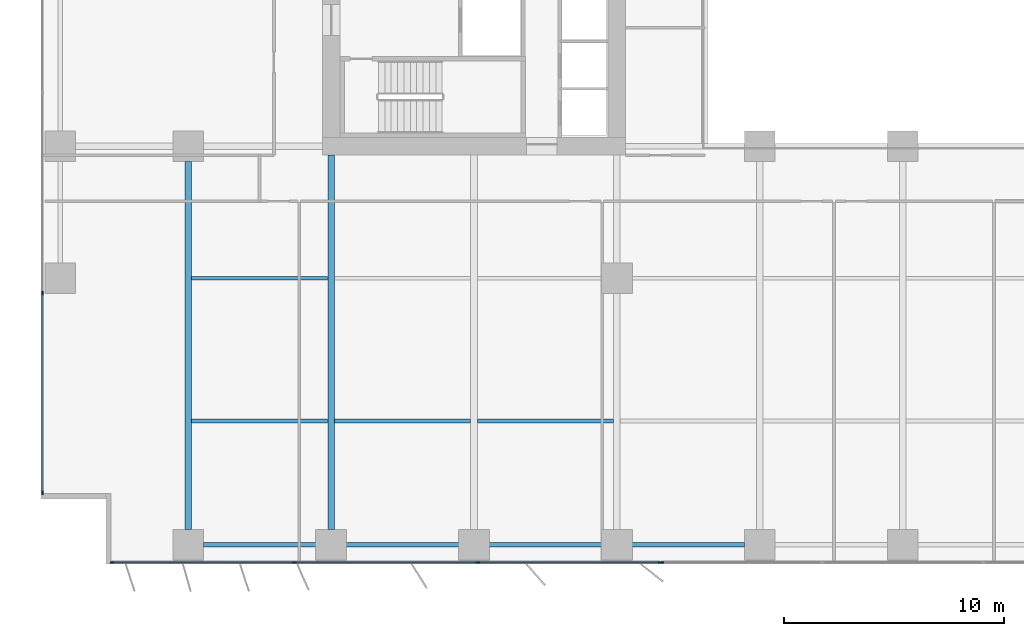
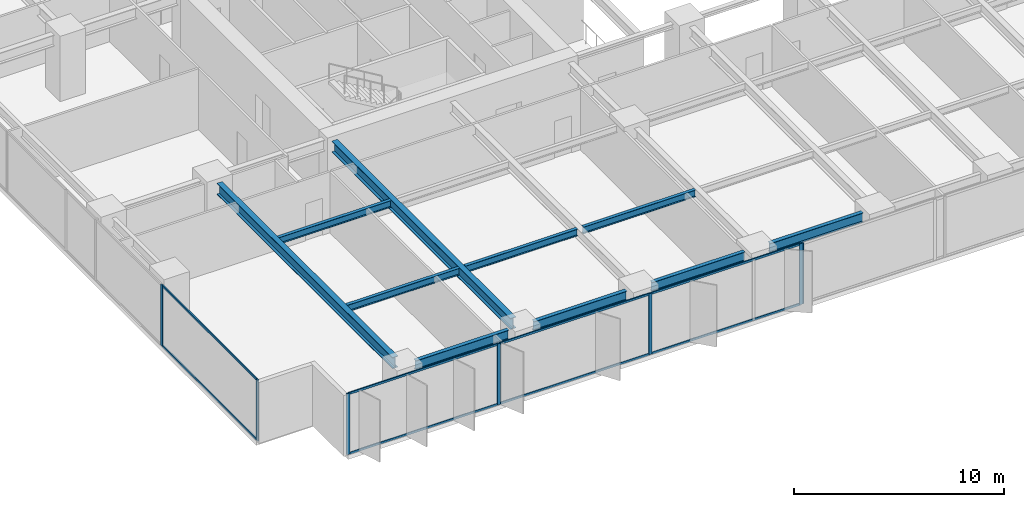
# One storey, part 2 of 20: 15 members, 10 beams, 3 elements without a shape of their own.
"""IFC4 building model written with IfcOpenShell, lengths in metres."""

from ifc_helpers import new_model, si_unit, direction, frame, origin, origin_2d, place, context, subcontext, project, spatial, rectangle, i_section, extrude, material, layer, layer_set, material_profile, profile_set, type_object, element, aggregate, save


model = new_model("IFC4")

# Units and contexts
model_context = context("Model", 3, precision=1e-05, world=origin(), true_north=direction((0.0, 1.0)))
body_context = subcontext(model_context, "Body", "Model", "MODEL_VIEW")
ifc_project = project(units=[si_unit("LENGTHUNIT", "METRE"), si_unit("AREAUNIT", "SQUARE_METRE"), si_unit("VOLUMEUNIT", "CUBIC_METRE"), si_unit("PLANEANGLEUNIT", "RADIAN"), si_unit("MASSUNIT", "GRAM", prefix="KILO")], contexts=[model_context])

# Site, building, storey
site_placement = place(None, origin())
site = spatial("IfcSite", under=ifc_project, at=site_placement, CompositionType="ELEMENT")
building_placement = place(site_placement, origin())
building = spatial("IfcBuilding", under=site, at=building_placement, Name="Putna Gate Headquarters", CompositionType="ELEMENT")
storey_placement = place(building_placement, frame((0.0, 0.0, 73.39990234375)))
storey = spatial("IfcBuildingStorey", under=building, at=storey_placement, Name="L17", CompositionType="ELEMENT", Elevation=73.39990234375)

# Beams
ifc_material_1 = material(Name="Steel S355J2", Category="steel")
ifc_material_profile_1 = material_profile(ifc_material_1, i_section(OverallWidth=0.300048828125, OverallDepth=0.64990234375, WebThickness=0.01611328125, FlangeThickness=0.031005859375, at=origin_2d()), Name="Steel S355J2")
ifc_profile_set_1 = profile_set([ifc_material_profile_1], Name="Steel S355J2")
beam_type_1 = type_object("IfcBeamType", Name="BM-GIRD-Z1-HEB650", PredefinedType="USERDEFINED", material=ifc_profile_set_1)
beam_1_placement = place(storey_placement, frame((6.5, 1.568115234375, 3.22509765625), z_axis=(0.0, 1.0, 0.0), x_axis=(-1.0, 0.0, 0.0)))
element("IfcBeam", 1, at=beam_1_placement, inside=storey, type_object=beam_type_1, Name="L17 South Primary Girder X6", ObjectType="GIRDER", PredefinedType="USERDEFINED", context=body_context, shape_type="SweptSolid", body=[
    extrude(i_section(OverallWidth=0.300048828125, OverallDepth=0.64990234375, WebThickness=0.01611328125, FlangeThickness=0.031005859375, at=origin_2d()), origin(), (0.0, 0.0, 1.0), 16.743896484375),
])
beam_2_placement = place(storey_placement, frame((13.0, 1.568115234375, 3.22509765625), z_axis=(0.0, 1.0, 0.0), x_axis=(-1.0, 0.0, 0.0)))
element("IfcBeam", 2, at=beam_2_placement, inside=storey, type_object=beam_type_1, Name="L17 South Primary Girder X13", ObjectType="GIRDER", PredefinedType="USERDEFINED", context=body_context, shape_type="SweptSolid", body=[
    extrude(i_section(OverallWidth=0.300048828125, OverallDepth=0.64990234375, WebThickness=0.01611328125, FlangeThickness=0.031005859375, at=origin_2d()), origin(), (0.0, 0.0, 1.0), 17.046875),
])
ifc_material_profile_2 = material_profile(ifc_material_1, i_section(OverallWidth=0.179931640625, OverallDepth=0.39990234375, WebThickness=0.008544921875, FlangeThickness=0.013427734375, at=origin_2d()), Name="Steel S355J2")
ifc_profile_set_2 = profile_set([ifc_material_profile_2], Name="Steel S355J2")
beam_type_2 = type_object("IfcBeamType", Name="BM-SEC-Z1-IPE400", PredefinedType="BEAM", material=ifc_profile_set_2)
for number, where, z_axis, x_axis, name in (
    (3, (6.654052734375, 6.5, 3.35009765625), (1.0, 0.0, 0.0), (0.0, 1.0, 0.0), "L17 South Secondary Beam 1"),
    (4, (6.654052734375, 13.0, 3.35009765625), (1.0, 0.0, 0.0), (0.0, 1.0, 0.0), "L17 South Secondary Beam 1"),
    (5, (13.154052734375, 6.5, 3.35009765625), (1.0, 0.0, 0.0), (0.0, 1.0, 0.0), "L17 South Secondary Beam 2"),
    (6, (19.654052734375, 6.5, 3.35009765625), (1.0, 0.0, 0.0), (0.0, 1.0, 0.0), "L17 South Secondary Beam 3"),
):
    element("IfcBeam", number, at=place(storey_placement, frame(where, z_axis=z_axis, x_axis=x_axis)), inside=storey, type_object=beam_type_2, Name=name, PredefinedType="BEAM", context=body_context, shape_type="SweptSolid", body=[
        extrude(i_section(OverallWidth=0.179931640625, OverallDepth=0.39990234375, WebThickness=0.008544921875, FlangeThickness=0.013427734375, at=origin_2d()), origin(), (0.0, 0.0, 1.0), 6.19189453125),
    ])
ifc_material_profile_3 = material_profile(ifc_material_1, i_section(OverallWidth=0.2099609375, OverallDepth=0.550048828125, WebThickness=0.010986328125, FlangeThickness=0.01708984375, at=origin_2d()), Name="Steel S355J2")
ifc_profile_set_3 = profile_set([ifc_material_profile_3], Name="Steel S355J2")
beam_type_3 = type_object("IfcBeamType", Name="BM-SPAN-Z1-IPE550", PredefinedType="SPANDREL", material=ifc_profile_set_3)
for number, where, z_axis, x_axis, name in (
    (7, (7.18798828125, 0.8798828125, 3.275146484375), (1.0, 0.0, 0.0), (0.0, 1.0, 0.0), "L17 S Perimeter Spandrel 1"),
    (8, (13.68798828125, 0.8798828125, 3.275146484375), (1.0, 0.0, 0.0), (0.0, 1.0, 0.0), "L17 S Perimeter Spandrel 2"),
    (9, (20.18798828125, 0.8798828125, 3.275146484375), (1.0, 0.0, 0.0), (0.0, 1.0, 0.0), "L17 S Perimeter Spandrel 3"),
    (10, (26.68798828125, 0.8798828125, 3.275146484375), (1.0, 0.0, 0.0), (0.0, 1.0, 0.0), "L17 S Perimeter Spandrel 4"),
):
    element("IfcBeam", number, at=place(storey_placement, frame(where, z_axis=z_axis, x_axis=x_axis)), inside=storey, type_object=beam_type_3, Name=name, PredefinedType="SPANDREL", context=body_context, shape_type="SweptSolid", body=[
        extrude(i_section(OverallWidth=0.2099609375, OverallDepth=0.550048828125, WebThickness=0.010986328125, FlangeThickness=0.01708984375, at=origin_2d()), origin(), (0.0, 0.0, 1.0), 5.1240234375),
    ])

# Curtain wall, members
ifc_material_2 = material(Name="Anodised bronze aluminium curtain wall", Category="aluminium")
ifc_layer_1 = layer(ifc_material_2, 0.179931640625)
ifc_layer_set_1 = layer_set([ifc_layer_1], Name="Anodised bronze aluminium curtain wall")
curtain_wall_type_1 = type_object("IfcCurtainWallType", Name="CW-SYS-Z1", PredefinedType="USERDEFINED", material=ifc_layer_set_1)
curtain_wall_1_placement = place(storey_placement, origin())
curtain_wall_1 = element("IfcCurtainWall", 11, at=curtain_wall_1_placement, inside=storey, type_object=curtain_wall_type_1, Name="L17 South West Curtain Wall", ObjectType="STICK CURTAIN WALL", PredefinedType="USERDEFINED")
ifc_material_3 = material(Name="Anodised bronze aluminium EN AW-6060", Category="aluminium")
ifc_material_profile_4 = material_profile(ifc_material_3, rectangle(XDim=0.070068359375, YDim=0.179931640625, at=origin_2d()), Name="Anodised bronze aluminium EN AW-6060")
ifc_profile_set_4 = profile_set([ifc_material_profile_4], Name="Anodised bronze aluminium EN AW-6060")
member_type_1 = type_object("IfcMemberType", Name="MULL-CWM-1", PredefinedType="MULLION", material=ifc_profile_set_4)
member_1_placement = place(storey_placement, frame((3.034912109375, 0.080078125, 0.0), z_axis=(0.0, 0.0, 1.0), x_axis=(0.0, 1.0, 0.0)))
member_1 = element("IfcMember", 12, at=member_1_placement, type_object=member_type_1, Name="CWS-1 mullion 1", PredefinedType="MULLION", context=body_context, shape_type="SweptSolid", body=[
    extrude(rectangle(XDim=0.070068359375, YDim=0.179931640625, at=origin_2d()), origin(), (0.0, 0.0, 1.0), 3.550048828125),
])
member_2_placement = place(storey_placement, frame((11.333251953125, 0.080078125, 0.0), z_axis=(0.0, 0.0, 1.0), x_axis=(0.0, 1.0, 0.0)))
member_2 = element("IfcMember", 13, at=member_2_placement, type_object=member_type_1, Name="CWS-1 mullion 2", PredefinedType="MULLION", context=body_context, shape_type="SweptSolid", body=[
    extrude(rectangle(XDim=0.070068359375, YDim=0.179931640625, at=origin_2d()), origin(), (0.0, 0.0, 1.0), 3.550048828125),
])
member_3_placement = place(storey_placement, frame((19.666748046875, 0.080078125, 0.0), z_axis=(0.0, 0.0, 1.0), x_axis=(0.0, 1.0, 0.0)))
member_3 = element("IfcMember", 14, at=member_3_placement, type_object=member_type_1, Name="CWS-1 mullion 3", PredefinedType="MULLION", context=body_context, shape_type="SweptSolid", body=[
    extrude(rectangle(XDim=0.070068359375, YDim=0.179931640625, at=origin_2d()), origin(), (0.0, 0.0, 1.0), 3.550048828125),
])
member_4_placement = place(storey_placement, frame((27.965087890625, 0.080078125, 0.0), z_axis=(0.0, 0.0, 1.0), x_axis=(0.0, 1.0, 0.0)))
member_4 = element("IfcMember", 15, at=member_4_placement, type_object=member_type_1, Name="CWS-1 mullion 4", PredefinedType="MULLION", context=body_context, shape_type="SweptSolid", body=[
    extrude(rectangle(XDim=0.070068359375, YDim=0.179931640625, at=origin_2d()), origin(), (0.0, 0.0, 1.0), 3.550048828125),
])

curtain_wall_2_placement = place(storey_placement, origin())
curtain_wall_2 = element("IfcCurtainWall", 16, at=curtain_wall_2_placement, inside=storey, type_object=curtain_wall_type_1, Name="L17 West Curtain Wall", ObjectType="STICK CURTAIN WALL", PredefinedType="USERDEFINED")
member_5_placement = place(storey_placement, frame((-0.1201171875, 3.235107421875, 0.0), z_axis=(0.0, 0.0, 1.0), x_axis=(-1.0, 0.0, 0.0)))
member_5 = element("IfcMember", 17, at=member_5_placement, type_object=member_type_1, Name="CWS-1 mullion 1", PredefinedType="MULLION", context=body_context, shape_type="SweptSolid", body=[
    extrude(rectangle(XDim=0.070068359375, YDim=0.179931640625, at=origin_2d()), origin(), (0.0, 0.0, 1.0), 3.550048828125),
])
member_6_placement = place(storey_placement, frame((-0.1201171875, 12.320068359375, 0.0), z_axis=(0.0, 0.0, 1.0), x_axis=(-1.0, 0.0, 0.0)))
member_6 = element("IfcMember", 18, at=member_6_placement, type_object=member_type_1, Name="CWS-1 mullion 2", PredefinedType="MULLION", context=body_context, shape_type="SweptSolid", body=[
    extrude(rectangle(XDim=0.070068359375, YDim=0.179931640625, at=origin_2d()), origin(), (0.0, 0.0, 1.0), 3.550048828125),
])

# Curtain wall, member
ifc_layer_2 = layer(ifc_material_2, 0.179931640625)
ifc_layer_set_2 = layer_set([ifc_layer_2], Name="Anodised bronze aluminium curtain wall")
curtain_wall_type_2 = type_object("IfcCurtainWallType", Name="CW-SYS-ATR", PredefinedType="USERDEFINED", material=ifc_layer_set_2)
curtain_wall_3_placement = place(storey_placement, origin())
curtain_wall_3 = element("IfcCurtainWall", 19, at=curtain_wall_3_placement, inside=storey, type_object=curtain_wall_type_2, Name="L17 South Atrium Clear Glazing", ObjectType="ATRIUM GLAZING", PredefinedType="USERDEFINED")
ifc_material_profile_5 = material_profile(ifc_material_3, rectangle(XDim=0.070068359375, YDim=0.179931640625, at=origin_2d()), Name="Anodised bronze aluminium EN AW-6060")
ifc_profile_set_5 = profile_set([ifc_material_profile_5], Name="Anodised bronze aluminium EN AW-6060")
member_type_2 = type_object("IfcMemberType", Name="MULL-CWM-AT", PredefinedType="MULLION", material=ifc_profile_set_5)
member_7_placement = place(storey_placement, frame((28.034912109375, 0.080078125, 0.0), z_axis=(0.0, 0.0, 1.0), x_axis=(0.0, 1.0, 0.0)))
member_7 = element("IfcMember", 20, at=member_7_placement, type_object=member_type_2, Name="CWS-AT mullion 1", PredefinedType="MULLION", context=body_context, shape_type="SweptSolid", body=[
    extrude(rectangle(XDim=0.070068359375, YDim=0.179931640625, at=origin_2d()), origin(), (0.0, 0.0, 1.0), 3.550048828125),
])
aggregate(curtain_wall_3, [member_7])

# Member
ifc_material_profile_6 = material_profile(ifc_material_3, rectangle(XDim=0.06494140625, YDim=0.1201171875, at=origin_2d()), Name="Anodised bronze aluminium EN AW-6060")
ifc_profile_set_6 = profile_set([ifc_material_profile_6], Name="Anodised bronze aluminium EN AW-6060")
member_type_3 = type_object("IfcMemberType", Name="TRAN-CWT-1", PredefinedType="USERDEFINED", material=ifc_profile_set_6)
member_8_placement = place(storey_placement, frame((3.070068359375, 0.080078125, 0.03271484375), z_axis=(1.0, 0.0, 0.0), x_axis=(0.0, 1.0, 0.0)))
member_8 = element("IfcMember", 21, at=member_8_placement, type_object=member_type_3, Name="CWS-1 transom 1.1", ObjectType="TRANSOM", PredefinedType="USERDEFINED", context=body_context, shape_type="SweptSolid", body=[
    extrude(rectangle(XDim=0.06494140625, YDim=0.1201171875, at=origin_2d()), origin(), (0.0, 0.0, 1.0), 8.228271484375),
])

member_9_placement = place(storey_placement, frame((3.070068359375, 0.080078125, 3.517578125), z_axis=(1.0, 0.0, 0.0), x_axis=(0.0, 1.0, 0.0)))
member_9 = element("IfcMember", 22, at=member_9_placement, type_object=member_type_3, Name="CWS-1 transom 1.2", ObjectType="TRANSOM", PredefinedType="USERDEFINED", context=body_context, shape_type="SweptSolid", body=[
    extrude(rectangle(XDim=0.06494140625, YDim=0.1201171875, at=origin_2d()), origin(), (0.0, 0.0, 1.0), 8.228271484375),
])

member_10_placement = place(storey_placement, frame((11.368408203125, 0.080078125, 0.03271484375), z_axis=(1.0, 0.0, 0.0), x_axis=(0.0, 1.0, 0.0)))
member_10 = element("IfcMember", 23, at=member_10_placement, type_object=member_type_3, Name="CWS-1 transom 2.1", ObjectType="TRANSOM", PredefinedType="USERDEFINED", context=body_context, shape_type="SweptSolid", body=[
    extrude(rectangle(XDim=0.06494140625, YDim=0.1201171875, at=origin_2d()), origin(), (0.0, 0.0, 1.0), 8.26318359375),
])

member_11_placement = place(storey_placement, frame((11.368408203125, 0.080078125, 3.517578125), z_axis=(1.0, 0.0, 0.0), x_axis=(0.0, 1.0, 0.0)))
member_11 = element("IfcMember", 24, at=member_11_placement, type_object=member_type_3, Name="CWS-1 transom 2.2", ObjectType="TRANSOM", PredefinedType="USERDEFINED", context=body_context, shape_type="SweptSolid", body=[
    extrude(rectangle(XDim=0.06494140625, YDim=0.1201171875, at=origin_2d()), origin(), (0.0, 0.0, 1.0), 8.26318359375),
])

member_12_placement = place(storey_placement, frame((19.70166015625, 0.080078125, 0.03271484375), z_axis=(1.0, 0.0, 0.0), x_axis=(0.0, 1.0, 0.0)))
member_12 = element("IfcMember", 25, at=member_12_placement, type_object=member_type_3, Name="CWS-1 transom 3.1", ObjectType="TRANSOM", PredefinedType="USERDEFINED", context=body_context, shape_type="SweptSolid", body=[
    extrude(rectangle(XDim=0.06494140625, YDim=0.1201171875, at=origin_2d()), origin(), (0.0, 0.0, 1.0), 8.228271484375),
])

member_13_placement = place(storey_placement, frame((19.70166015625, 0.080078125, 3.517578125), z_axis=(1.0, 0.0, 0.0), x_axis=(0.0, 1.0, 0.0)))
member_13 = element("IfcMember", 26, at=member_13_placement, type_object=member_type_3, Name="CWS-1 transom 3.2", ObjectType="TRANSOM", PredefinedType="USERDEFINED", context=body_context, shape_type="SweptSolid", body=[
    extrude(rectangle(XDim=0.06494140625, YDim=0.1201171875, at=origin_2d()), origin(), (0.0, 0.0, 1.0), 8.228271484375),
])

aggregate(curtain_wall_1, [member_1, member_2, member_3, member_4, member_8, member_9, member_10, member_11, member_12, member_13])

member_14_placement = place(storey_placement, frame((-0.1201171875, 3.27001953125, 0.03271484375), z_axis=(0.0, 1.0, 0.0), x_axis=(-1.0, 0.0, 0.0)))
member_14 = element("IfcMember", 27, at=member_14_placement, type_object=member_type_3, Name="CWS-1 transom 1.1", ObjectType="TRANSOM", PredefinedType="USERDEFINED", context=body_context, shape_type="SweptSolid", body=[
    extrude(rectangle(XDim=0.06494140625, YDim=0.1201171875, at=origin_2d()), origin(), (0.0, 0.0, 1.0), 9.014892578125),
])

member_15_placement = place(storey_placement, frame((-0.1201171875, 3.27001953125, 3.517578125), z_axis=(0.0, 1.0, 0.0), x_axis=(-1.0, 0.0, 0.0)))
member_15 = element("IfcMember", 28, at=member_15_placement, type_object=member_type_3, Name="CWS-1 transom 1.2", ObjectType="TRANSOM", PredefinedType="USERDEFINED", context=body_context, shape_type="SweptSolid", body=[
    extrude(rectangle(XDim=0.06494140625, YDim=0.1201171875, at=origin_2d()), origin(), (0.0, 0.0, 1.0), 9.014892578125),
])

aggregate(curtain_wall_2, [member_5, member_6, member_14, member_15])

save(model, "model.ifc")
